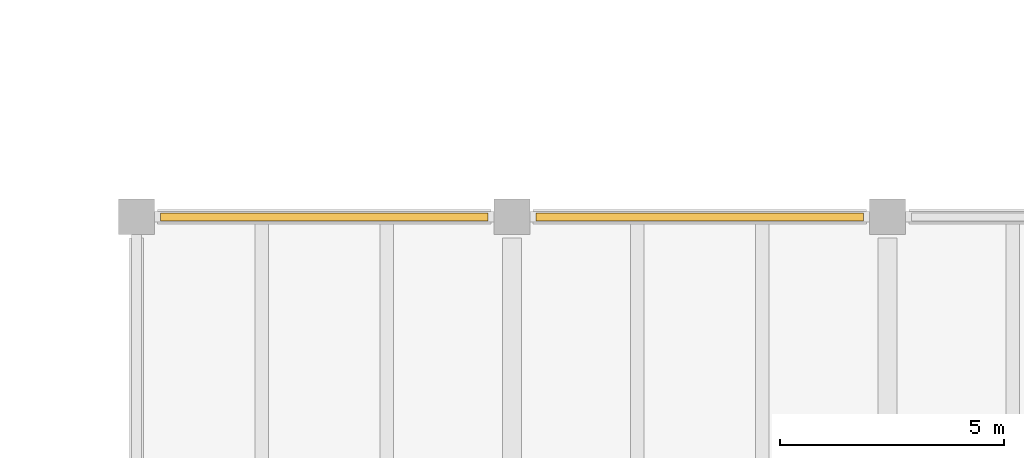
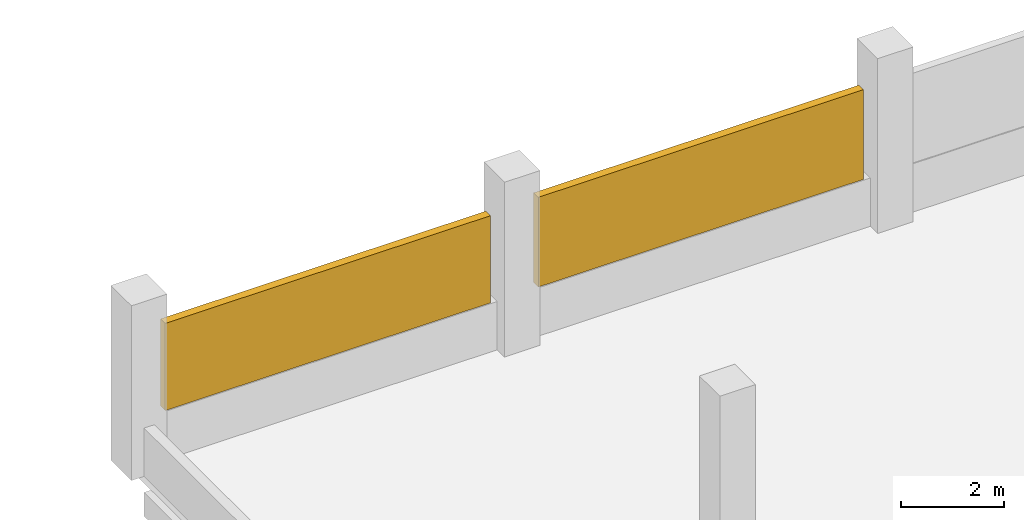
# One storey, part 172 of 177: 2 shading devices.
"""IFC4 building model written with IfcOpenShell, lengths in metres."""

from ifc_helpers import new_model, si_unit, direction, frame, origin, origin_2d, place, context, subcontext, project, spatial, rectangle, extrude, material, type_object, element, save


model = new_model("IFC4")

# Units and contexts
model_context = context("Model", 3, precision=1e-05, world=origin(), true_north=direction((0.0, 1.0)))
body_context = subcontext(model_context, "Body", "Model", "MODEL_VIEW")
ifc_project = project(units=[si_unit("LENGTHUNIT", "METRE"), si_unit("AREAUNIT", "SQUARE_METRE"), si_unit("VOLUMEUNIT", "CUBIC_METRE"), si_unit("PLANEANGLEUNIT", "RADIAN"), si_unit("MASSUNIT", "GRAM", prefix="KILO"), si_unit("THERMODYNAMICTEMPERATUREUNIT", "KELVIN"), si_unit("POWERUNIT", "WATT")], contexts=[model_context])

# Site, building, storey
site_placement = place(None, origin())
site = spatial("IfcSite", under=ifc_project, at=site_placement, CompositionType="ELEMENT")
building_placement = place(site_placement, origin())
building = spatial("IfcBuilding", under=site, at=building_placement, Name="Mavoryth Pier Ferry Terminal", CompositionType="ELEMENT")
storey_placement = place(building_placement, frame((0.0, 0.0, 5.43994140625)))
storey = spatial("IfcBuildingStorey", under=building, at=storey_placement, Name="L01", CompositionType="ELEMENT", Elevation=5.43994140625)

# Shading devices
ifc_material = material(Name="Perforated Glazed Ceramic Solar Screen")
shading_device_type = type_object("IfcShadingDeviceType", Name="Screen-Ceramic-Bay7400x1900", PredefinedType="JALOUSIE", material=ifc_material)
shading_device_1_placement = place(storey_placement, frame((113.39990234375, 72.39990234375, 1.14990234375), z_axis=(0.0, 0.0, 1.0), x_axis=(1.0, 0.0, 0.0)))
element("IfcShadingDevice", 1, at=shading_device_1_placement, inside=storey, type_object=shading_device_type, Name="Perforated Glazed Ceramic Solar Screen 2", PredefinedType="JALOUSIE", context=body_context, shape_type="SweptSolid", body=[
    extrude(rectangle(XDim=7.320068359375, YDim=0.179931640625, at=origin_2d()), origin(), (0.0, 0.0, 1.0), 2.074951171875),
])
shading_device_2_placement = place(storey_placement, frame((121.800048828125, 72.39990234375, 1.14990234375), z_axis=(0.0, 0.0, 1.0), x_axis=(1.0, 0.0, 0.0)))
element("IfcShadingDevice", 2, at=shading_device_2_placement, inside=storey, type_object=shading_device_type, Name="Perforated Glazed Ceramic Solar Screen 4", PredefinedType="JALOUSIE", context=body_context, shape_type="SweptSolid", body=[
    extrude(rectangle(XDim=7.320068359375, YDim=0.179931640625, at=origin_2d()), origin(), (0.0, 0.0, 1.0), 2.135009765625),
])

save(model, "model.ifc")
